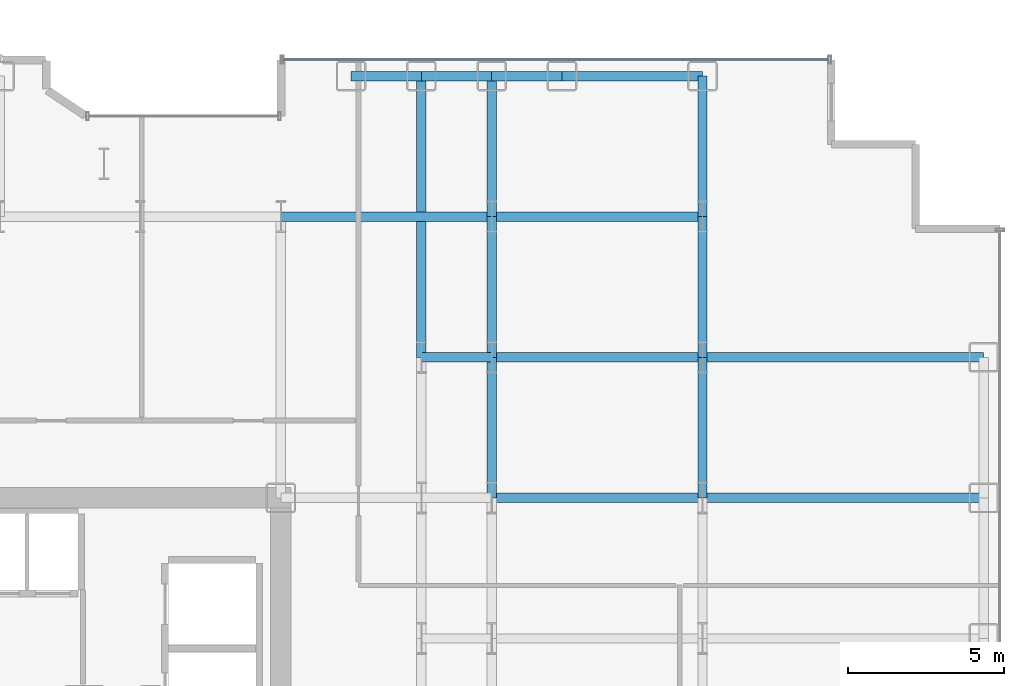
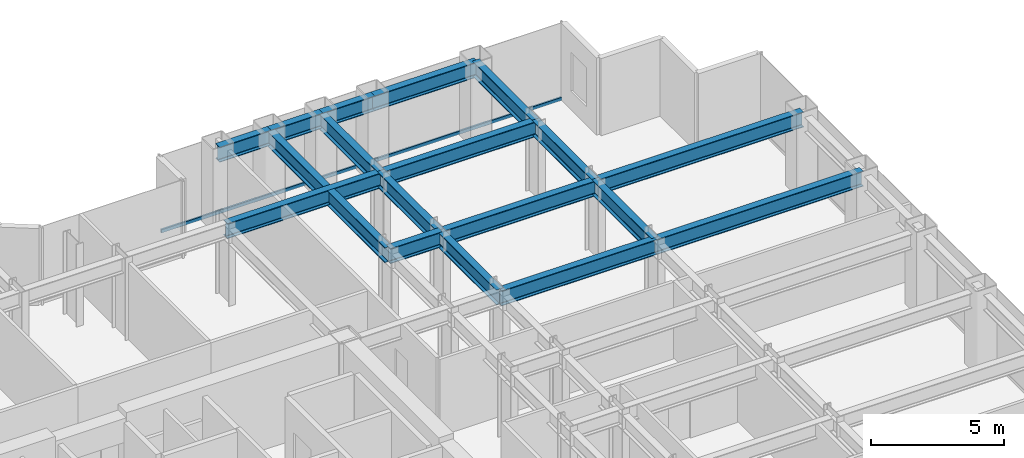
# One storey, part 13 of 25: 18 beams, 1 member, 1 element without a shape of its own.
"""IFC4 building model written with IfcOpenShell, lengths in metres."""

import ifcopenshell
import ifcopenshell.guid

model = None  # the IFC model being written
_history = None  # IfcOwnerHistory: only IFC2X3 demands one
_inside = {}  # id of a spatial element -> (the spatial element, [elements in it])
_under = {}  # id of a project, library or spatial element -> (it, [spatial elements below it])
_declared = {}  # id of a project -> (the project, [libraries it declares])
_typed = {}  # id of a type object -> (the type object, [elements of that type])
_made_of = {}  # id of a material, layer set ... -> (it, [elements and type objects made of it])


def new_model(schema):
    """Start an empty IFC model of exactly this schema.

    Asked for "IFC4X3", IfcOpenShell would pick the latest addendum, in which some entities
    have other attributes; the version numbers below select the first issue.
    IFC2X3 requires an IfcOwnerHistory on every rooted entity: one is made here for all.
    """
    global model, _history
    if schema == "IFC4X3":
        model = ifcopenshell.file(schema_version=(4, 3, 0, 0))
    else:
        model = ifcopenshell.file(schema=schema)
    _inside.clear()
    _under.clear()
    _declared.clear()
    _typed.clear()
    _made_of.clear()
    _history = None
    if model.schema == "IFC2X3":
        org = make("IfcOrganization", Name="unknown")
        user = make(
            "IfcPersonAndOrganization",
            ThePerson=make("IfcPerson", FamilyName="unknown"),
            TheOrganization=org,
        )
        app = make(
            "IfcApplication",
            ApplicationDeveloper=org,
            Version="unknown",
            ApplicationFullName="unknown",
            ApplicationIdentifier="unknown",
        )
        _history = make(
            "IfcOwnerHistory",
            OwningUser=user,
            OwningApplication=app,
            ChangeAction="ADDED",
            CreationDate=0,
        )
    return model


def make(cls, **values):
    """One entity of the class cls with the attributes given. An attribute that is None is left unset."""
    return model.create_entity(
        cls, **{name: value for name, value in values.items() if value is not None}
    )


def rooted(cls, **values):
    """An entity with a GlobalId (a new one), such as an element, a storey or a relation."""
    return make(cls, GlobalId=ifcopenshell.guid.new(), OwnerHistory=_history, **values)


def si_unit(unit_type, name, prefix=None):
    """IfcSIUnit, for example si_unit("LENGTHUNIT", "METRE", prefix="MILLI")."""
    return make("IfcSIUnit", UnitType=unit_type, Prefix=prefix, Name=name)


def assignment(units):
    """IfcUnitAssignment: the units of a project."""
    return None if units is None else make("IfcUnitAssignment", Units=units)


def point(xyz):
    """IfcCartesianPoint."""
    return None if xyz is None else make("IfcCartesianPoint", Coordinates=xyz)


def direction(xyz):
    """IfcDirection."""
    return None if xyz is None else make("IfcDirection", DirectionRatios=xyz)


def frame(location, z_axis=None, x_axis=None):
    """IfcAxis2Placement3D, a coordinate frame: its origin and axes. An axis left out is left unset."""
    return make(
        "IfcAxis2Placement3D",
        Location=point(location),
        Axis=direction(z_axis),
        RefDirection=direction(x_axis),
    )


def frame_2d(location, x_axis=None):
    """IfcAxis2Placement2D, a coordinate frame in the plane: its origin and x axis."""
    return make(
        "IfcAxis2Placement2D", Location=point(location), RefDirection=direction(x_axis)
    )


def origin():
    """The frame at (0, 0, 0) with its axes left unset."""
    return frame((0.0, 0.0, 0.0))


def origin_2d():
    """The frame at (0, 0) in the plane with its x axis left unset."""
    return frame_2d((0.0, 0.0))


def place(relative_to, where):
    """IfcLocalPlacement: puts the frame where relative to a parent placement (None: the world)."""
    return make(
        "IfcLocalPlacement", PlacementRelTo=relative_to, RelativePlacement=where
    )


def context(
    kind, dimensions, precision=None, world=None, true_north=None, identifier=None
):
    """IfcGeometricRepresentationContext, for example the 3D "Model" context."""
    return make(
        "IfcGeometricRepresentationContext",
        ContextIdentifier=identifier,
        ContextType=kind,
        CoordinateSpaceDimension=dimensions,
        Precision=precision,
        WorldCoordinateSystem=world,
        TrueNorth=true_north,
    )


def subcontext(parent, identifier, kind, view, scale=None):
    """IfcGeometricRepresentationSubContext, for example "Body" below "Model"."""
    return make(
        "IfcGeometricRepresentationSubContext",
        ContextIdentifier=identifier,
        ContextType=kind,
        ParentContext=parent,
        TargetScale=scale,
        TargetView=view,
    )


def project(units=None, contexts=None):
    """IfcProject with its units and contexts."""
    return rooted(
        "IfcProject",
        Name="project",
        RepresentationContexts=contexts,
        UnitsInContext=assignment(units),
    )


def spatial(cls, under=None, at=None, **own):
    """A site, building, storey or space (cls), placed at a placement, below another one or the project."""
    s = rooted(cls, ObjectPlacement=at, **own)
    if under is not None:
        _under.setdefault(under.id(), (under, []))[1].append(s)
    return s


def profile(cls, at=None, kind="AREA", **sizes):
    """A parametric profile (cls). Its sizes go by their IFC names, for example OverallWidth=200.0."""
    return make(cls, ProfileType=kind, Position=at, **sizes)


def hollow_rectangle(**sizes):
    """IfcRectangleHollowProfileDef."""
    return profile("IfcRectangleHollowProfileDef", **sizes)


def i_section(**sizes):
    """IfcIShapeProfileDef."""
    return profile("IfcIShapeProfileDef", **sizes)


def extrude(swept, where, along, depth):
    """IfcExtrudedAreaSolid: the profile swept, set in the frame where, extruded along a direction by depth."""
    return make(
        "IfcExtrudedAreaSolid",
        SweptArea=swept,
        Position=where,
        ExtrudedDirection=direction(along),
        Depth=depth,
    )


def shape(context_of_items, identifier, shape_type, items):
    """IfcShapeRepresentation: the items that make up one representation, for example the "Body"."""
    return make(
        "IfcShapeRepresentation",
        ContextOfItems=context_of_items,
        RepresentationIdentifier=identifier,
        RepresentationType=shape_type,
        Items=items,
    )


def source(mapping_origin, context_of_items, identifier, shape_type, items):
    """IfcRepresentationMap: a shape defined once, which mapped items show again and again."""
    return make(
        "IfcRepresentationMap",
        MappingOrigin=mapping_origin,
        MappedRepresentation=shape(context_of_items, identifier, shape_type, items),
    )


def transform(
    local_origin,
    x_axis=None,
    y_axis=None,
    z_axis=None,
    scale=None,
    scale2=None,
    scale3=None,
    uniform=True,
):
    """IfcCartesianTransformationOperator3D, or its non-uniform kind. x_axis, y_axis, z_axis: its Axis1, 2, 3."""
    if uniform:
        return make(
            "IfcCartesianTransformationOperator3D",
            Axis1=direction(x_axis),
            Axis2=direction(y_axis),
            LocalOrigin=point(local_origin),
            Scale=scale,
            Axis3=direction(z_axis),
        )
    return make(
        "IfcCartesianTransformationOperator3DnonUniform",
        Axis1=direction(x_axis),
        Axis2=direction(y_axis),
        LocalOrigin=point(local_origin),
        Scale=scale,
        Axis3=direction(z_axis),
        Scale2=scale2,
        Scale3=scale3,
    )


def mapped(mapping_source, mapping_target):
    """IfcMappedItem: shows the shape of a source again, moved by a transform."""
    return make(
        "IfcMappedItem", MappingSource=mapping_source, MappingTarget=mapping_target
    )


def material(Name=None, Category=None):
    """IfcMaterial."""
    return make("IfcMaterial", Name=Name, Category=Category)


def layer(
    of_material, thickness, ventilated=None, Name=None, Category=None, Priority=None
):
    """IfcMaterialLayer: one layer of a wall or slab, of a material (None: an air gap)."""
    return make(
        "IfcMaterialLayer",
        Material=of_material,
        LayerThickness=thickness,
        IsVentilated=ventilated,
        Name=Name,
        Category=Category,
        Priority=Priority,
    )


def layer_set(layers, Name=None):
    """IfcMaterialLayerSet."""
    return make("IfcMaterialLayerSet", MaterialLayers=layers, LayerSetName=Name)


def material_profile(
    of_material, cross_section, Name=None, Category=None, Priority=None
):
    """IfcMaterialProfile: a cross section and its material."""
    return make(
        "IfcMaterialProfile",
        Name=Name,
        Material=of_material,
        Profile=cross_section,
        Priority=Priority,
        Category=Category,
    )


def profile_set(profiles, Name=None, composite=None):
    """IfcMaterialProfileSet."""
    return make(
        "IfcMaterialProfileSet",
        Name=Name,
        MaterialProfiles=profiles,
        CompositeProfile=composite,
    )


def made_of(thing, what):
    """Note that an element or type object is made of a material, layer set ...; save() writes the relation."""
    if what is not None:
        _made_of.setdefault(what.id(), (what, []))[1].append(thing)
    return thing


def type_object(cls, material=None, **own):
    """A type object (cls), such as IfcWallType, which elements share."""
    return made_of(rooted(cls, **own), material)


def element(
    cls,
    number,
    at=None,
    inside=None,
    cuts=None,
    type_object=None,
    material=None,
    context=None,
    identifier="Body",
    shape_type=None,
    held_by="IfcProductDefinitionShape",
    body=None,
    shapes=None,
    **own,
):
    """One element of the class cls, such as IfcWall. Its Tag is "e" and its number.

    at: its placement. inside: the storey or other place that contains it. cuts: it is an
    opening in that element (IfcRelVoidsElement). A single representation is given by context,
    identifier, shape_type and body (its items); several are given by shapes. held_by: the class
    of the entity that holds the representations. save() writes the other relations.
    """
    e = rooted(cls, Tag="e%d" % number, ObjectPlacement=at, **own)
    if body is not None:
        shapes = [shape(context, identifier, shape_type, body)]
    if shapes is not None:
        e.Representation = make(held_by, Representations=shapes)
    if inside is not None:
        _inside.setdefault(inside.id(), (inside, []))[1].append(e)
    if cuts is not None:
        rooted(
            "IfcRelVoidsElement", RelatingBuildingElement=cuts, RelatedOpeningElement=e
        )
    if type_object is not None:
        _typed.setdefault(type_object.id(), (type_object, []))[1].append(e)
    return made_of(e, material)


def aggregate(whole, parts):
    """IfcRelAggregates: a whole, such as a stair, and the parts it consists of."""
    return rooted("IfcRelAggregates", RelatingObject=whole, RelatedObjects=parts)


def save(model, path):
    """Write the relations noted so far, then the file.

    IfcRelAggregates (storeys below a building ...), IfcRelContainedInSpatialStructure (elements
    in a storey), IfcRelDefinesByType, IfcRelAssociatesMaterial and IfcRelDeclares: one each for
    every whole, place, type object, material and project.
    """
    for whole, parts in _under.values():
        aggregate(whole, parts)
    for where, things in _inside.values():
        rooted(
            "IfcRelContainedInSpatialStructure",
            RelatedElements=things,
            RelatingStructure=where,
        )
    for kind, things in _typed.values():
        rooted("IfcRelDefinesByType", RelatedObjects=things, RelatingType=kind)
    for what, things in _made_of.values():
        rooted("IfcRelAssociatesMaterial", RelatedObjects=things, RelatingMaterial=what)
    for by, libraries in _declared.values():
        rooted("IfcRelDeclares", RelatingContext=by, RelatedDefinitions=libraries)
    model.write(path)


model = new_model("IFC4")

# Units and contexts
model_context = context("Model", 3, precision=1e-05, world=origin(), true_north=direction((0.0, 1.0)))
body_context = subcontext(model_context, "Body", "Model", "MODEL_VIEW")
ifc_project = project(units=[si_unit("LENGTHUNIT", "METRE"), si_unit("AREAUNIT", "SQUARE_METRE"), si_unit("VOLUMEUNIT", "CUBIC_METRE"), si_unit("PLANEANGLEUNIT", "RADIAN"), si_unit("MASSUNIT", "GRAM", prefix="KILO")], contexts=[model_context])

# Site, building, storey
site_placement = place(None, origin())
site = spatial("IfcSite", under=ifc_project, at=site_placement, CompositionType="ELEMENT")
building_placement = place(site_placement, origin())
building = spatial("IfcBuilding", under=site, at=building_placement, Name="Nefas-Gora Pilgrimage Tower", CompositionType="ELEMENT")
storey_placement = place(building_placement, frame((0.0, 0.0, 52.0)))
storey = spatial("IfcBuildingStorey", under=building, at=storey_placement, Name="L11", CompositionType="ELEMENT", Elevation=52.0)

# Beams
ifc_material_1 = material(Name="Steel S355", Category="steel")
ifc_material_profile_1 = material_profile(ifc_material_1, i_section(OverallWidth=0.300048828125, OverallDepth=0.699951171875, WebThickness=0.01708984375, FlangeThickness=0.031982421875, FilletRadius=0.027099609375, at=origin_2d()), Name="HEB 700")
ifc_profile_set_1 = profile_set([ifc_material_profile_1], Name="Steel S355")
beam_type_1 = type_object("IfcBeamType", Name="BM-SPN-HEB600", PredefinedType="SPANDREL", material=ifc_profile_set_1)
shared_shape_1 = source(origin(), body_context, "Body", "SweptSolid", [
    extrude(i_section(OverallWidth=0.300048828125, OverallDepth=0.699951171875, WebThickness=0.01708984375, FlangeThickness=0.031982421875, FilletRadius=0.027099609375, at=origin_2d()), origin(), (0.0, 0.0, 1.0), 4.5),
])
beam_1_placement = place(storey_placement, frame((20.25, 22.5, 3.199951171875), z_axis=(1.0, 0.0, 0.0), x_axis=(0.0, 1.0, 0.0)))
element("IfcBeam", 1, at=beam_1_placement, inside=storey, type_object=beam_type_1, Name="L11 SP-01 beam", PredefinedType="SPANDREL", context=body_context, shape_type="MappedRepresentation", body=[
    mapped(shared_shape_1, transform((0.0, 0.0, 0.0), x_axis=(1.0, 0.0, 0.0), y_axis=(0.0, 1.0, 0.0), z_axis=(0.0, 0.0, 1.0), scale=1.0)),
])
ifc_material_profile_2 = material_profile(ifc_material_1, i_section(OverallWidth=0.300048828125, OverallDepth=0.699951171875, WebThickness=0.01708984375, FlangeThickness=0.031982421875, FilletRadius=0.027099609375, at=origin_2d()), Name="HEB 700")
ifc_profile_set_2 = profile_set([ifc_material_profile_2], Name="Steel S355")
beam_type_2 = type_object("IfcBeamType", Name="BM-GIR-HEB700", PredefinedType="BEAM", material=ifc_profile_set_2)
shared_shape_2 = source(origin(), body_context, "Body", "SweptSolid", [
    extrude(i_section(OverallWidth=0.300048828125, OverallDepth=0.699951171875, WebThickness=0.01708984375, FlangeThickness=0.031982421875, FilletRadius=0.027099609375, at=origin_2d()), origin(), (0.0, 0.0, 1.0), 9.0),
])
for number, where, z_axis, x_axis, name in (
    (2, (15.75, 13.5, 3.199951171875), (0.0, 1.0, 0.0), (-1.0, 0.0, 0.0), "L11 G-02 beam"),
    (3, (24.75, 9.0, 3.199951171875), (1.0, 0.0, 0.0), (0.0, 1.0, 0.0), "L11 G-02 beam"),
    (4, (24.75, 13.5, 3.199951171875), (1.0, 0.0, 0.0), (0.0, 1.0, 0.0), "L11 G-02 beam"),
):
    element("IfcBeam", number, at=place(storey_placement, frame(where, z_axis=z_axis, x_axis=x_axis)), inside=storey, type_object=beam_type_2, Name=name, PredefinedType="BEAM", context=body_context, shape_type="MappedRepresentation", body=[
        mapped(shared_shape_2, transform((0.0, 0.0, 0.0), x_axis=(1.0, 0.0, 0.0), y_axis=(0.0, 1.0, 0.0), z_axis=(0.0, 0.0, 1.0), scale=1.0)),
    ])
shared_shape_3 = source(origin(), body_context, "Body", "SweptSolid", [
    extrude(i_section(OverallWidth=0.300048828125, OverallDepth=0.699951171875, WebThickness=0.01708984375, FlangeThickness=0.031982421875, FilletRadius=0.027099609375, at=origin_2d()), origin(), (0.0, 0.0, 1.0), 4.5),
])
for number, where, z_axis, x_axis, name in (
    (5, (18.0, 9.0, 3.199951171875), (0.0, 1.0, 0.0), (-1.0, 0.0, 0.0), "L11 G-02 beam"),
    (6, (18.0, 13.5, 3.199951171875), (0.0, 1.0, 0.0), (-1.0, 0.0, 0.0), "L11 G-02 beam"),
    (7, (18.0, 18.0, 3.199951171875), (0.0, 1.0, 0.0), (-1.0, 0.0, 0.0), "L11 G-02 beam"),
    (8, (24.75, 9.0, 3.199951171875), (0.0, 1.0, 0.0), (-1.0, 0.0, 0.0), "L11 G-02 beam"),
    (9, (24.75, 13.5, 3.199951171875), (0.0, 1.0, 0.0), (-1.0, 0.0, 0.0), "L11 G-02 beam"),
    (10, (24.75, 18.0, 3.199951171875), (0.0, 1.0, 0.0), (-1.0, 0.0, 0.0), "L11 G-02 beam"),
):
    element("IfcBeam", number, at=place(storey_placement, frame(where, z_axis=z_axis, x_axis=x_axis)), inside=storey, type_object=beam_type_2, Name=name, PredefinedType="BEAM", context=body_context, shape_type="MappedRepresentation", body=[
        mapped(shared_shape_3, transform((0.0, 0.0, 0.0), x_axis=(1.0, 0.0, 0.0), y_axis=(0.0, 1.0, 0.0), z_axis=(0.0, 0.0, 1.0), scale=1.0)),
    ])
shared_shape_4 = source(origin(), body_context, "Body", "SweptSolid", [
    extrude(i_section(OverallWidth=0.300048828125, OverallDepth=0.699951171875, WebThickness=0.01708984375, FlangeThickness=0.031982421875, FilletRadius=0.027099609375, at=origin_2d()), origin(), (0.0, 0.0, 1.0), 6.75),
])
for number, where, z_axis, x_axis, name in (
    (11, (11.25, 18.0, 3.199951171875), (1.0, 0.0, 0.0), (0.0, 1.0, 0.0), "L11 G-02 beam"),
    (12, (18.0, 9.0, 3.199951171875), (1.0, 0.0, 0.0), (0.0, 1.0, 0.0), "L11 G-02 beam"),
    (13, (18.0, 13.5, 3.199951171875), (1.0, 0.0, 0.0), (0.0, 1.0, 0.0), "L11 G-02 beam"),
    (14, (18.0, 18.0, 3.199951171875), (1.0, 0.0, 0.0), (0.0, 1.0, 0.0), "L11 G-02 beam"),
):
    element("IfcBeam", number, at=place(storey_placement, frame(where, z_axis=z_axis, x_axis=x_axis)), inside=storey, type_object=beam_type_2, Name=name, PredefinedType="BEAM", context=body_context, shape_type="MappedRepresentation", body=[
        mapped(shared_shape_4, transform((0.0, 0.0, 0.0), x_axis=(1.0, 0.0, 0.0), y_axis=(0.0, 1.0, 0.0), z_axis=(0.0, 0.0, 1.0), scale=1.0)),
    ])
shared_shape_5 = source(origin(), body_context, "Body", "SweptSolid", [
    extrude(i_section(OverallWidth=0.300048828125, OverallDepth=0.699951171875, WebThickness=0.01708984375, FlangeThickness=0.031982421875, FilletRadius=0.027099609375, at=origin_2d()), origin(), (0.0, 0.0, 1.0), 2.25),
])
for number, where, z_axis, x_axis, name in (
    (15, (13.5, 22.5, 3.199951171875), (1.0, 0.0, 0.0), (0.0, 1.0, 0.0), "L11 SP-01 beam"),
    (16, (15.75, 22.5, 3.199951171875), (1.0, 0.0, 0.0), (0.0, 1.0, 0.0), "L11 SP-01 beam"),
    (17, (18.0, 22.5, 3.199951171875), (1.0, 0.0, 0.0), (0.0, 1.0, 0.0), "L11 SP-01 beam"),
):
    element("IfcBeam", number, at=place(storey_placement, frame(where, z_axis=z_axis, x_axis=x_axis)), inside=storey, type_object=beam_type_1, Name=name, PredefinedType="SPANDREL", context=body_context, shape_type="MappedRepresentation", body=[
        mapped(shared_shape_5, transform((0.0, 0.0, 0.0), x_axis=(1.0, 0.0, 0.0), y_axis=(0.0, 1.0, 0.0), z_axis=(0.0, 0.0, 1.0), scale=1.0)),
    ])
shared_shape_6 = source(origin(), body_context, "Body", "SweptSolid", [
    extrude(i_section(OverallWidth=0.300048828125, OverallDepth=0.699951171875, WebThickness=0.01708984375, FlangeThickness=0.031982421875, FilletRadius=0.027099609375, at=origin_2d()), origin(), (0.0, 0.0, 1.0), 2.25),
])
beam_2_placement = place(storey_placement, frame((15.75, 13.5, 3.199951171875), z_axis=(1.0, 0.0, 0.0), x_axis=(0.0, 1.0, 0.0)))
element("IfcBeam", 18, at=beam_2_placement, inside=storey, type_object=beam_type_2, Name="L11 G-02 beam", PredefinedType="BEAM", context=body_context, shape_type="MappedRepresentation", body=[
    mapped(shared_shape_6, transform((0.0, 0.0, 0.0), x_axis=(1.0, 0.0, 0.0), y_axis=(0.0, 1.0, 0.0), z_axis=(0.0, 0.0, 1.0), scale=1.0)),
])

# Curtain wall, member
ifc_material_2 = material(Name="Dark ceramic-fritted solar-control aluminium-glass curtain wall", Category="aluminium")
ifc_layer = layer(ifc_material_2, 0.219970703125)
ifc_layer_set = layer_set([ifc_layer], Name="Dark ceramic-fritted solar-control aluminium-glass curtain wall")
curtain_wall_type = type_object("IfcCurtainWallType", Name="CW-SYS-2", PredefinedType="NOTDEFINED", material=ifc_layer_set)
curtain_wall_placement = place(storey_placement, origin())
curtain_wall = element("IfcCurtainWall", 19, at=curtain_wall_placement, inside=storey, type_object=curtain_wall_type, Name="L11 Unitised Curtain Wall CW2", PredefinedType="NOTDEFINED")
ifc_material_3 = material(Name="Anodised architectural aluminium", Category="aluminium")
ifc_material_profile_3 = material_profile(ifc_material_3, hollow_rectangle(XDim=0.080078125, YDim=0.159912109375, WallThickness=0.00439453125, InnerFilletRadius=0.00439453125, OuterFilletRadius=0.009033203125, at=origin_2d()), Name="ALU TRANSOM 80x160")
ifc_profile_set_3 = profile_set([ifc_material_profile_3], Name="Anodised architectural aluminium")
member_type = type_object("IfcMemberType", Name="CWM-TRN-2", PredefinedType="USERDEFINED", material=ifc_profile_set_3)
shared_shape_7 = source(origin(), body_context, "Body", "SweptSolid", [
    extrude(hollow_rectangle(XDim=0.080078125, YDim=0.159912109375, WallThickness=0.00439453125, InnerFilletRadius=0.00439453125, OuterFilletRadius=0.009033203125, at=origin_2d()), origin(), (0.0, 0.0, 1.0), 17.43994140625),
])
member_placement = place(storey_placement, frame((28.780029296875, 23.02001953125, 0.050048828125), z_axis=(-1.0, 0.0, 0.0), x_axis=(0.0, -1.0, 0.0)))
member = element("IfcMember", 20, at=member_placement, type_object=member_type, Name="CW2 Spandrel Transom", ObjectType="TRANSOM", PredefinedType="USERDEFINED", context=body_context, shape_type="MappedRepresentation", body=[
    mapped(shared_shape_7, transform((0.0, 0.0, 0.0), x_axis=(1.0, 0.0, 0.0), y_axis=(0.0, 1.0, 0.0), z_axis=(0.0, 0.0, 1.0), scale=1.0)),
])
aggregate(curtain_wall, [member])

save(model, "model.ifc")
